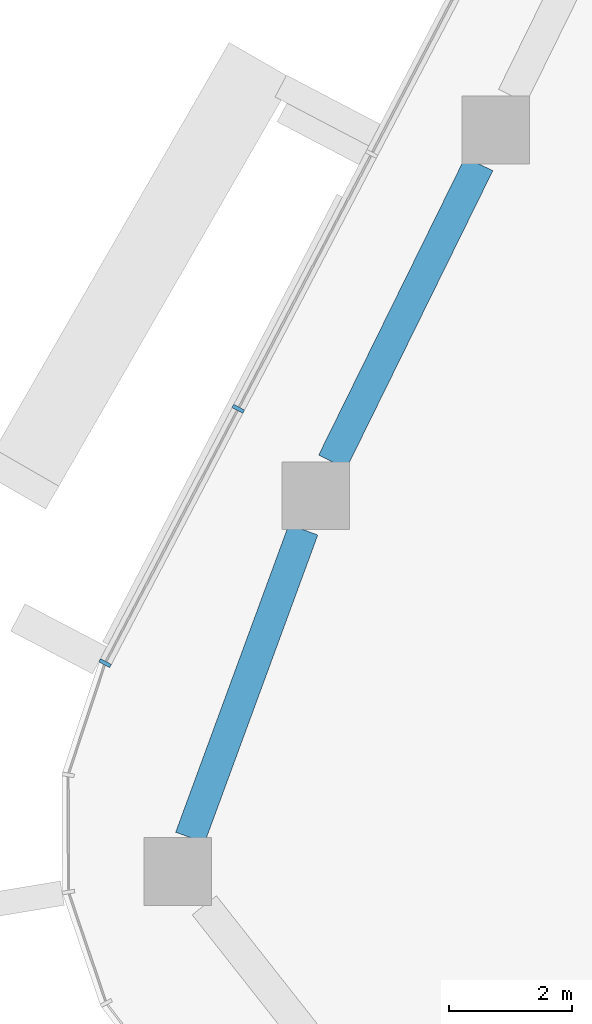
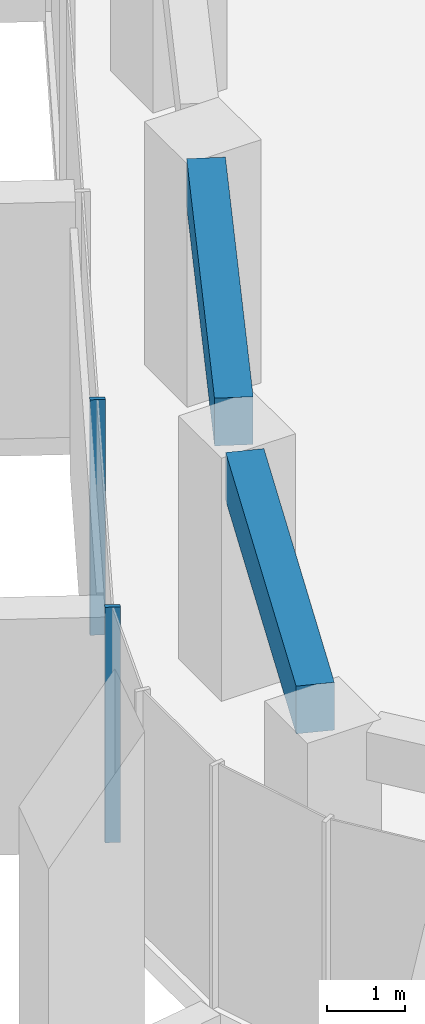
# One storey, part 3 of 20: 2 beams, 2 members, 1 element without a shape of its own.
"""IFC4 building model written with IfcOpenShell, lengths in metres."""

from ifc_helpers import new_model, si_unit, direction, frame, origin, origin_2d, place, context, subcontext, project, spatial, rectangle, extrude, material, layer, layer_set, material_profile, profile_set, type_object, element, aggregate, save


model = new_model("IFC4")

# Units and contexts
model_context = context("Model", 3, precision=1e-05, world=origin(), true_north=direction((0.0, 1.0)))
body_context = subcontext(model_context, "Body", "Model", "MODEL_VIEW")
ifc_project = project(units=[si_unit("LENGTHUNIT", "METRE"), si_unit("AREAUNIT", "SQUARE_METRE"), si_unit("VOLUMEUNIT", "CUBIC_METRE"), si_unit("PLANEANGLEUNIT", "RADIAN"), si_unit("MASSUNIT", "GRAM", prefix="KILO")], contexts=[model_context])

# Site, building, storey
site_placement = place(None, origin())
site = spatial("IfcSite", under=ifc_project, at=site_placement, CompositionType="ELEMENT")
building_placement = place(site_placement, origin())
building = spatial("IfcBuilding", under=site, at=building_placement, Name="Dongbaek Canopy Tower", CompositionType="ELEMENT")
storey_placement = place(building_placement, frame((0.0, 0.0, 241.199951171875)))
storey = spatial("IfcBuildingStorey", under=building, at=storey_placement, Name="L50", CompositionType="ELEMENT", Elevation=241.199951171875)

# Curtain wall, members
ifc_material_1 = material(Name="Aluminium 6063-T6 pale anodised", Category="aluminium")
ifc_layer = layer(ifc_material_1, 0.199951171875)
ifc_layer_set = layer_set([ifc_layer], Name="CW-1 unitised tower curtain wall")
curtain_wall_type = type_object("IfcCurtainWallType", Name="CW-1 unitised tower curtain wall", PredefinedType="NOTDEFINED", material=ifc_layer_set)
curtain_wall_placement = place(storey_placement, origin())
curtain_wall = element("IfcCurtainWall", 1, at=curtain_wall_placement, inside=storey, type_object=curtain_wall_type, Name="CW-1 curtain wall F2.1", PredefinedType="NOTDEFINED")
ifc_material_2 = material(Name="Aluminium 6063-T6 pale anodised", Category="aluminium")
ifc_material_profile_1 = material_profile(ifc_material_2, rectangle(XDim=0.199951171875, YDim=0.06005859375, at=origin_2d()), Name="CW-1 mullion 60 x 200")
ifc_profile_set_1 = profile_set([ifc_material_profile_1], Name="Aluminium 6063-T6 pale anodised")
member_type = type_object("IfcMemberType", Name="CW-1 mullion 60 x 200", PredefinedType="MULLION", material=ifc_profile_set_1)
member_1_placement = place(storey_placement, frame((-26.798583984375, 1.48779296875, 0.1201171875), z_axis=(0.0, 0.0, 1.0), x_axis=(-0.886019109709, 0.463648721803, 0.0)))
member_1 = element("IfcMember", 2, at=member_1_placement, type_object=member_type, Name="CW-1 mullion F2.1.6", PredefinedType="MULLION", context=body_context, shape_type="SweptSolid", body=[
    extrude(rectangle(XDim=0.199951171875, YDim=0.06005859375, at=origin_2d()), origin(), (0.0, 0.0, 1.0), 3.699951171875),
])
member_2_placement = place(storey_placement, frame((-28.958984375, -2.640625, 0.1201171875), z_axis=(0.0, 0.0, 1.0), x_axis=(-0.886019109709, 0.463648721803, 0.0)))
member_2 = element("IfcMember", 3, at=member_2_placement, type_object=member_type, Name="CW-1 mullion F2.1.7", PredefinedType="MULLION", context=body_context, shape_type="SweptSolid", body=[
    extrude(rectangle(XDim=0.199951171875, YDim=0.06005859375, at=origin_2d()), origin(), (0.0, 0.0, 1.0), 3.699951171875),
])
aggregate(curtain_wall, [member_1, member_2])

# Beams
ifc_material_3 = material(Name="Concrete C70", Category="concrete")
ifc_material_profile_2 = material_profile(ifc_material_3, rectangle(XDim=0.5, YDim=0.75, at=origin_2d()), Name="RC EDGE BEAM 500x750 C70")
ifc_profile_set_2 = profile_set([ifc_material_profile_2], Name="Concrete C70")
beam_type = type_object("IfcBeamType", Name="RC EDGE BEAM 500x750 C70", PredefinedType="BEAM", material=ifc_profile_set_2)
beam_1_placement = place(storey_placement, frame((-27.57958984375, -5.469970703125, 3.445068359375), z_axis=(0.345180317771, 0.938536386201, 0.0), x_axis=(-0.938536386201, 0.345180317771, 0.0)))
element("IfcBeam", 4, at=beam_1_placement, inside=storey, type_object=beam_type, Name="EDGEBEAM:L50:08", PredefinedType="BEAM", context=body_context, shape_type="SweptSolid", body=[
    extrude(rectangle(XDim=0.5, YDim=0.75, at=origin_2d()), origin(), (0.0, 0.0, 1.0), 5.322998046875),
])
beam_2_placement = place(storey_placement, frame((-25.26953125, 0.6259765625, 3.445068359375), z_axis=(0.44133161815, 0.897344082736, 0.0), x_axis=(-0.897344082736, 0.44133161815, 0.0)))
element("IfcBeam", 5, at=beam_2_placement, inside=storey, type_object=beam_type, Name="EDGEBEAM:L50:09", PredefinedType="BEAM", context=body_context, shape_type="SweptSolid", body=[
    extrude(rectangle(XDim=0.5, YDim=0.75, at=origin_2d()), origin(), (0.0, 0.0, 1.0), 5.38818359375),
])

save(model, "model.ifc")
